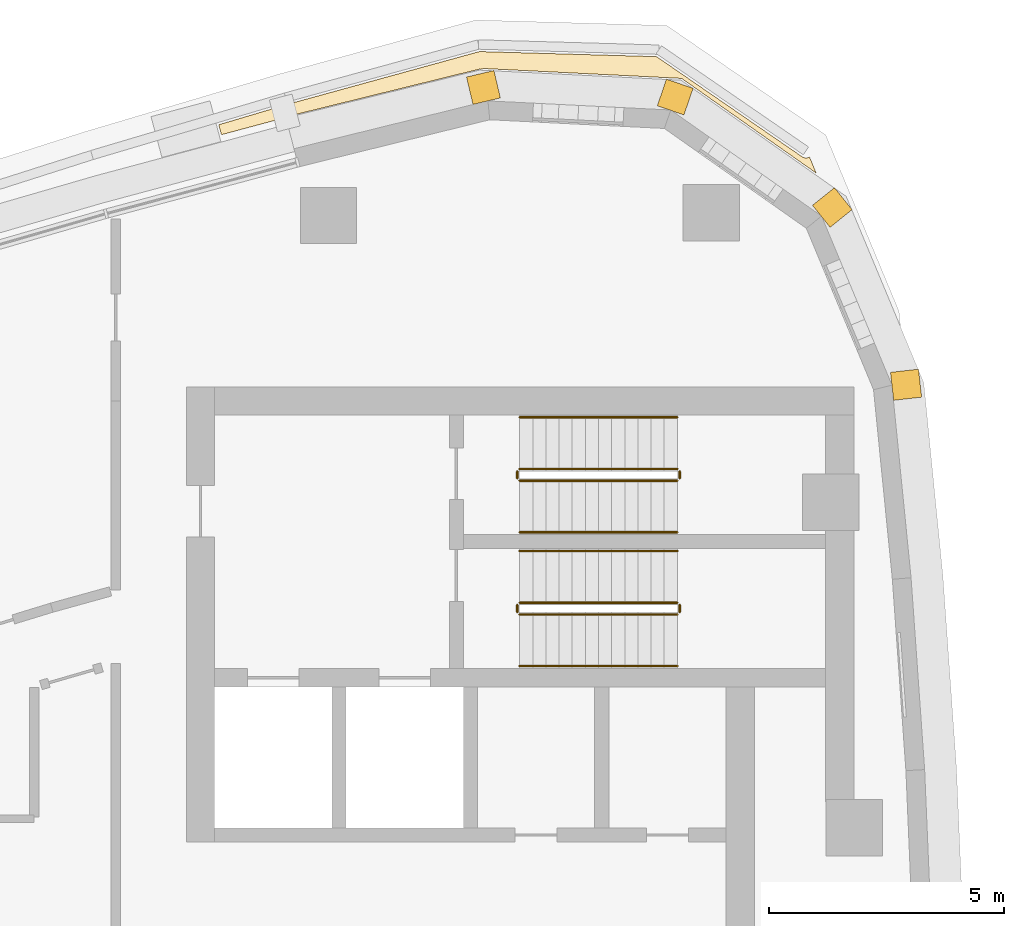
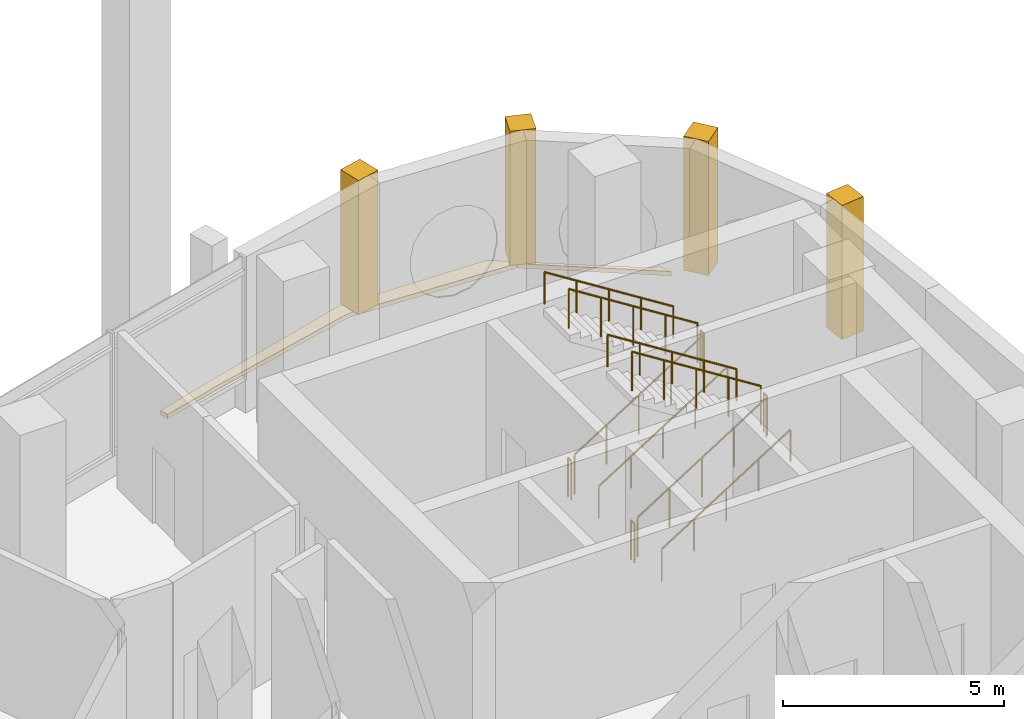
# One storey, part 14 of 15: 12 railings, 5 coverings.
"""IFC4 building model written with IfcOpenShell, lengths in metres."""

from ifc_helpers import new_model, si_unit, direction, frame, frame_2d, origin, origin_2d, place, context, subcontext, project, spatial, polyline, rectangle, circle, outline, extrude, material, layer, layer_set, type_object, element, save


model = new_model("IFC4")

# Units and contexts
model_context = context("Model", 3, precision=1e-05, world=origin(), true_north=direction((0.0, 1.0)))
body_context = subcontext(model_context, "Body", "Model", "MODEL_VIEW")
ifc_project = project(units=[si_unit("LENGTHUNIT", "METRE"), si_unit("AREAUNIT", "SQUARE_METRE"), si_unit("VOLUMEUNIT", "CUBIC_METRE"), si_unit("PLANEANGLEUNIT", "RADIAN"), si_unit("MASSUNIT", "GRAM", prefix="KILO")], contexts=[model_context])

# Site, building, storey
site_placement = place(None, origin())
site = spatial("IfcSite", under=ifc_project, at=site_placement, CompositionType="ELEMENT")
building_placement = place(site_placement, origin())
building = spatial("IfcBuilding", under=site, at=building_placement, Name="Ostrand Prow Hotel Tower", CompositionType="ELEMENT")
storey_placement = place(building_placement, frame((0.0, 0.0, 216.199951171875)))
storey = spatial("IfcBuildingStorey", under=building, at=storey_placement, Name="L54", CompositionType="ELEMENT", Elevation=216.199951171875)

# Coverings
ifc_material_1 = material(Name="Limestone cladding", Category="masonry")
ifc_layer_1 = layer(ifc_material_1, 0.60009765625)
ifc_layer_set_1 = layer_set([ifc_layer_1], Name="Limestone cladding")
covering_type_1 = type_object("IfcCoveringType", Name="Precast stone prow rib 600x600", PredefinedType="CLADDING", material=ifc_layer_set_1)
for number, where, z_axis, x_axis, name in (
    (1, (65.13623046875, 16.35986328125, 0.60009765625), (0.0, 0.0, 1.0), (0.993628058569, 0.112708833834, 0.0), "Stone corner rib 13a"),
    (2, (63.62744140625, 19.98291015625, 0.60009765625), (0.0, 0.0, 1.0), (0.779994736518, 0.625786074473, 0.0), "Stone corner rib 14a"),
    (3, (60.417236328125, 22.240966796875, 0.60009765625), (0.0, 0.0, 1.0), (0.325489086777, 0.945545797087, 0.0), "Stone corner rib 15a"),
    (4, (56.49755859375, 22.436279296875, 0.60009765625), (0.0, 0.0, 1.0), (-0.229878322855, 0.973219377469, 0.0), "Stone corner rib 15b"),
):
    element("IfcCovering", number, at=place(storey_placement, frame(where, z_axis=z_axis, x_axis=x_axis)), inside=storey, type_object=covering_type_1, Name=name, PredefinedType="CLADDING", context=body_context, shape_type="SweptSolid", body=[
        extrude(rectangle(XDim=0.60009765625, YDim=0.60009765625, at=frame_2d((0.300048828125, 0.0))), origin(), (0.0, 0.0, 1.0), 3.699951171875),
    ])
ifc_material_2 = material(Name="Bituminous membrane, insulation and stone ballast", Category="masonry")
ifc_layer_2 = layer(ifc_material_2, 0.1201171875)
ifc_layer_set_2 = layer_set([ifc_layer_2], Name="Bituminous membrane, insulation and stone ballast")
covering_type_2 = type_object("IfcCoveringType", Name="Roof build-up membrane, insulation and stone ballast 120 mm", PredefinedType="ROOFING", material=ifc_layer_set_2)
covering_placement = place(storey_placement, origin())
element("IfcCovering", 5, at=covering_placement, inside=storey, type_object=covering_type_2, Name="Roof build-up Ledge roof slab L54.1 2", PredefinedType="ROOFING", context=body_context, shape_type="SweptSolid", body=[
    extrude(outline(polyline([(63.5185546875, 20.905029296875), (63.375732421875, 21.248779296875), (63.369140625, 21.2451171875), (63.355712890625, 21.23876953125), (63.341796875, 21.234130859375), (63.327392578125, 21.230712890625), (63.31298828125, 21.228759765625), (63.298095703125, 21.228271484375), (63.283447265625, 21.22900390625), (63.268798828125, 21.2314453125), (63.254638671875, 21.2353515625), (63.240966796875, 21.240478515625), (63.227783203125, 21.246826171875), (63.215087890625, 21.254638671875), (60.117919921875, 23.3857421875), (56.34326171875, 23.493896484375), (52.25390625, 22.369384765625), (50.788818359375, 21.934326171875), (50.845703125, 21.72265625), (52.201904296875, 22.086181640625), (52.201904296875, 22.086669921875), (52.202392578125, 22.088623046875), (52.203125, 22.09033203125), (52.2041015625, 22.09228515625), (52.205078125, 22.09375), (52.20654296875, 22.09521484375), (52.2080078125, 22.0966796875), (52.20947265625, 22.097900390625), (52.2109375, 22.09912109375), (52.212890625, 22.10009765625), (52.214599609375, 22.100830078125), (52.216552734375, 22.101318359375), (56.33642578125, 23.11767578125), (56.33837890625, 23.117919921875), (56.34033203125, 23.1181640625), (56.34228515625, 23.1181640625), (56.37646484375, 23.116455078125), (56.43896484375, 23.1318359375), (60.651611328125, 22.921875), (63.5185546875, 20.905029296875)])), origin(), (0.0, 0.0, 1.0), 0.1201171875),
])

# Railings
ifc_material_3 = material(Name="Painted steel", Category="steel")
railing_type_1 = type_object("IfcRailingType", Name="Stair guard 1100", PredefinedType="GUARDRAIL", material=ifc_material_3)
railing_1_placement = place(storey_placement, frame((57.199951171875, 11.5, 0.177001953125)))
element("IfcRailing", 6, at=railing_1_placement, inside=storey, type_object=railing_type_1, Name="L54 ST1C stair guard 1", PredefinedType="GUARDRAIL", context=body_context, shape_type="SweptSolid", body=[
    extrude(circle(Radius=0.02392578125, at=origin_2d()), frame((0.0, 0.0, 1.076171875), z_axis=(0.845389635667, 0.0, 0.534150132366), x_axis=(0.0, 1.0, 0.0)), (0.0, 0.0, 1.0), 3.974609375),
    extrude(circle(Radius=0.02099609375, at=origin_2d()), origin(), (0.0, 0.0, 1.0), 1.052001953125),
    extrude(circle(Radius=0.02099609375, at=origin_2d()), frame((0.840087890625, 0.0, 0.53076171875)), (0.0, 0.0, 1.0), 1.052001953125),
    extrude(circle(Radius=0.02099609375, at=origin_2d()), frame((1.68017578125, 0.0, 1.0615234375)), (0.0, 0.0, 1.0), 1.052001953125),
    extrude(circle(Radius=0.02099609375, at=origin_2d()), frame((2.52001953125, 0.0, 1.59228515625)), (0.0, 0.0, 1.0), 1.052001953125),
    extrude(circle(Radius=0.02099609375, at=origin_2d()), frame((3.360107421875, 0.0, 2.123046875)), (0.0, 0.0, 1.0), 1.052001953125),
])
railing_2_placement = place(storey_placement, frame((60.610107421875, 11.550048828125, 2.300048828125)))
element("IfcRailing", 7, at=railing_2_placement, inside=storey, type_object=railing_type_1, Name="L54 ST1C stair guard 2", PredefinedType="GUARDRAIL", context=body_context, shape_type="SweptSolid", body=[
    extrude(circle(Radius=0.02392578125, at=origin_2d()), frame((0.0, 0.0, 1.076171875), z_axis=(0.0, 1.0, 0.0), x_axis=(-1.0, 0.0, 0.0)), (0.0, 0.0, 1.0), 0.14990234375),
    extrude(circle(Radius=0.02099609375, at=origin_2d()), origin(), (0.0, 0.0, 1.0), 1.052001953125),
    extrude(circle(Radius=0.02099609375, at=origin_2d()), frame((0.0, 0.14990234375, 0.0)), (0.0, 0.0, 1.0), 1.052001953125),
])
railing_3_placement = place(storey_placement, frame((60.56005859375, 11.75, 2.47705078125)))
element("IfcRailing", 8, at=railing_3_placement, inside=storey, type_object=railing_type_1, Name="L54 ST1C stair guard 3", PredefinedType="GUARDRAIL", context=body_context, shape_type="SweptSolid", body=[
    extrude(circle(Radius=0.02392578125, at=origin_2d()), frame((0.0, 0.0, 1.076171875), z_axis=(-0.845389635667, 0.0, 0.534150132366), x_axis=(0.0, -1.0, 0.0)), (0.0, 0.0, 1.0), 3.974609375),
    extrude(circle(Radius=0.02099609375, at=origin_2d()), origin(), (0.0, 0.0, 1.0), 1.052001953125),
    extrude(circle(Radius=0.02099609375, at=origin_2d()), frame((-0.840087890625, 0.0, 0.53076171875)), (0.0, 0.0, 1.0), 1.052001953125),
    extrude(circle(Radius=0.02099609375, at=origin_2d()), frame((-1.68017578125, 0.0, 1.0615234375)), (0.0, 0.0, 1.0), 1.052001953125),
    extrude(circle(Radius=0.02099609375, at=origin_2d()), frame((-2.52001953125, 0.0, 1.59228515625)), (0.0, 0.0, 1.0), 1.052001953125),
    extrude(circle(Radius=0.02099609375, at=origin_2d()), frame((-3.360107421875, 0.0, 2.123046875)), (0.0, 0.0, 1.0), 1.052001953125),
])
railing_4_placement = place(storey_placement, frame((57.14990234375, 11.550048828125, 0.0)))
element("IfcRailing", 9, at=railing_4_placement, inside=storey, type_object=railing_type_1, Name="L54 ST1C stair guard 4", PredefinedType="GUARDRAIL", context=body_context, shape_type="SweptSolid", body=[
    extrude(circle(Radius=0.02392578125, at=origin_2d()), frame((0.0, 0.0, 1.076171875), z_axis=(0.0, 1.0, 0.0), x_axis=(-1.0, 0.0, 0.0)), (0.0, 0.0, 1.0), 0.14990234375),
    extrude(circle(Radius=0.02099609375, at=origin_2d()), origin(), (0.0, 0.0, 1.0), 1.052001953125),
    extrude(circle(Radius=0.02099609375, at=origin_2d()), frame((0.0, 0.14990234375, 0.0)), (0.0, 0.0, 1.0), 1.052001953125),
])
railing_5_placement = place(storey_placement, frame((57.199951171875, 14.35009765625, 0.177001953125)))
element("IfcRailing", 10, at=railing_5_placement, inside=storey, type_object=railing_type_1, Name="L54 ST3C stair guard 1", PredefinedType="GUARDRAIL", context=body_context, shape_type="SweptSolid", body=[
    extrude(circle(Radius=0.02392578125, at=origin_2d()), frame((0.0, 0.0, 1.076171875), z_axis=(0.845389635667, 0.0, 0.534150132366), x_axis=(0.0, 1.0, 0.0)), (0.0, 0.0, 1.0), 3.974609375),
    extrude(circle(Radius=0.02099609375, at=origin_2d()), origin(), (0.0, 0.0, 1.0), 1.052001953125),
    extrude(circle(Radius=0.02099609375, at=origin_2d()), frame((0.840087890625, 0.0, 0.53076171875)), (0.0, 0.0, 1.0), 1.052001953125),
    extrude(circle(Radius=0.02099609375, at=origin_2d()), frame((1.68017578125, 0.0, 1.0615234375)), (0.0, 0.0, 1.0), 1.052001953125),
    extrude(circle(Radius=0.02099609375, at=origin_2d()), frame((2.52001953125, 0.0, 1.59228515625)), (0.0, 0.0, 1.0), 1.052001953125),
    extrude(circle(Radius=0.02099609375, at=origin_2d()), frame((3.360107421875, 0.0, 2.123046875)), (0.0, 0.0, 1.0), 1.052001953125),
])
railing_6_placement = place(storey_placement, frame((60.610107421875, 14.39990234375, 2.300048828125)))
element("IfcRailing", 11, at=railing_6_placement, inside=storey, type_object=railing_type_1, Name="L54 ST3C stair guard 2", PredefinedType="GUARDRAIL", context=body_context, shape_type="SweptSolid", body=[
    extrude(circle(Radius=0.02392578125, at=origin_2d()), frame((0.0, 0.0, 1.076171875), z_axis=(0.0, 1.0, 0.0), x_axis=(-1.0, 0.0, 0.0)), (0.0, 0.0, 1.0), 0.150146484375),
    extrude(circle(Radius=0.02099609375, at=origin_2d()), origin(), (0.0, 0.0, 1.0), 1.052001953125),
    extrude(circle(Radius=0.02099609375, at=origin_2d()), frame((0.0, 0.150146484375, 0.0)), (0.0, 0.0, 1.0), 1.052001953125),
])
railing_7_placement = place(storey_placement, frame((60.56005859375, 14.60009765625, 2.47705078125)))
element("IfcRailing", 12, at=railing_7_placement, inside=storey, type_object=railing_type_1, Name="L54 ST3C stair guard 3", PredefinedType="GUARDRAIL", context=body_context, shape_type="SweptSolid", body=[
    extrude(circle(Radius=0.02392578125, at=origin_2d()), frame((0.0, 0.0, 1.076171875), z_axis=(-0.845389635667, 0.0, 0.534150132366), x_axis=(0.0, -1.0, 0.0)), (0.0, 0.0, 1.0), 3.974609375),
    extrude(circle(Radius=0.02099609375, at=origin_2d()), origin(), (0.0, 0.0, 1.0), 1.052001953125),
    extrude(circle(Radius=0.02099609375, at=origin_2d()), frame((-0.840087890625, 0.0, 0.53076171875)), (0.0, 0.0, 1.0), 1.052001953125),
    extrude(circle(Radius=0.02099609375, at=origin_2d()), frame((-1.68017578125, 0.0, 1.0615234375)), (0.0, 0.0, 1.0), 1.052001953125),
    extrude(circle(Radius=0.02099609375, at=origin_2d()), frame((-2.52001953125, 0.0, 1.59228515625)), (0.0, 0.0, 1.0), 1.052001953125),
    extrude(circle(Radius=0.02099609375, at=origin_2d()), frame((-3.360107421875, 0.0, 2.123046875)), (0.0, 0.0, 1.0), 1.052001953125),
])
railing_8_placement = place(storey_placement, frame((57.14990234375, 14.39990234375, 0.0)))
element("IfcRailing", 13, at=railing_8_placement, inside=storey, type_object=railing_type_1, Name="L54 ST3C stair guard 4", PredefinedType="GUARDRAIL", context=body_context, shape_type="SweptSolid", body=[
    extrude(circle(Radius=0.02392578125, at=origin_2d()), frame((0.0, 0.0, 1.076171875), z_axis=(0.0, 1.0, 0.0), x_axis=(-1.0, 0.0, 0.0)), (0.0, 0.0, 1.0), 0.150146484375),
    extrude(circle(Radius=0.02099609375, at=origin_2d()), origin(), (0.0, 0.0, 1.0), 1.052001953125),
    extrude(circle(Radius=0.02099609375, at=origin_2d()), frame((0.0, 0.150146484375, 0.0)), (0.0, 0.0, 1.0), 1.052001953125),
])
ifc_material_4 = material(Name="Stainless steel", Category="steel")
railing_type_2 = type_object("IfcRailingType", Name="Stair handrail 900", PredefinedType="HANDRAIL", material=ifc_material_4)
railing_9_placement = place(storey_placement, frame((57.199951171875, 10.39990234375, 0.177001953125)))
element("IfcRailing", 14, at=railing_9_placement, inside=storey, type_object=railing_type_2, Name="L54 ST1C stair handrail 1", PredefinedType="HANDRAIL", context=body_context, shape_type="SweptSolid", body=[
    extrude(circle(Radius=0.02392578125, at=origin_2d()), frame((0.0, 0.0, 0.8759765625), z_axis=(0.845389635667, 0.0, 0.534150132366), x_axis=(0.0, 1.0, 0.0)), (0.0, 0.0, 1.0), 3.974609375),
    extrude(circle(Radius=0.02099609375, at=origin_2d()), origin(), (0.0, 0.0, 1.0), 0.851806640625),
    extrude(circle(Radius=0.02099609375, at=origin_2d()), frame((0.840087890625, 0.0, 0.53076171875)), (0.0, 0.0, 1.0), 0.851806640625),
    extrude(circle(Radius=0.02099609375, at=origin_2d()), frame((1.68017578125, 0.0, 1.0615234375)), (0.0, 0.0, 1.0), 0.851806640625),
    extrude(circle(Radius=0.02099609375, at=origin_2d()), frame((2.52001953125, 0.0, 1.59228515625)), (0.0, 0.0, 1.0), 0.851806640625),
    extrude(circle(Radius=0.02099609375, at=origin_2d()), frame((3.360107421875, 0.0, 2.123046875)), (0.0, 0.0, 1.0), 0.851806640625),
])
railing_10_placement = place(storey_placement, frame((60.56005859375, 12.85009765625, 2.47705078125)))
element("IfcRailing", 15, at=railing_10_placement, inside=storey, type_object=railing_type_2, Name="L54 ST1C stair handrail 2", PredefinedType="HANDRAIL", context=body_context, shape_type="SweptSolid", body=[
    extrude(circle(Radius=0.02392578125, at=origin_2d()), frame((0.0, 0.0, 0.8759765625), z_axis=(-0.845389635667, 0.0, 0.534150132366), x_axis=(0.0, -1.0, 0.0)), (0.0, 0.0, 1.0), 3.974609375),
    extrude(circle(Radius=0.02099609375, at=origin_2d()), origin(), (0.0, 0.0, 1.0), 0.851806640625),
    extrude(circle(Radius=0.02099609375, at=origin_2d()), frame((-0.840087890625, 0.0, 0.53076171875)), (0.0, 0.0, 1.0), 0.851806640625),
    extrude(circle(Radius=0.02099609375, at=origin_2d()), frame((-1.68017578125, 0.0, 1.0615234375)), (0.0, 0.0, 1.0), 0.851806640625),
    extrude(circle(Radius=0.02099609375, at=origin_2d()), frame((-2.52001953125, 0.0, 1.59228515625)), (0.0, 0.0, 1.0), 0.851806640625),
    extrude(circle(Radius=0.02099609375, at=origin_2d()), frame((-3.360107421875, 0.0, 2.123046875)), (0.0, 0.0, 1.0), 0.851806640625),
])
railing_11_placement = place(storey_placement, frame((57.199951171875, 13.25, 0.177001953125)))
element("IfcRailing", 16, at=railing_11_placement, inside=storey, type_object=railing_type_2, Name="L54 ST3C stair handrail 1", PredefinedType="HANDRAIL", context=body_context, shape_type="SweptSolid", body=[
    extrude(circle(Radius=0.02392578125, at=origin_2d()), frame((0.0, 0.0, 0.8759765625), z_axis=(0.845389635667, 0.0, 0.534150132366), x_axis=(0.0, 1.0, 0.0)), (0.0, 0.0, 1.0), 3.974609375),
    extrude(circle(Radius=0.02099609375, at=origin_2d()), origin(), (0.0, 0.0, 1.0), 0.851806640625),
    extrude(circle(Radius=0.02099609375, at=origin_2d()), frame((0.840087890625, 0.0, 0.53076171875)), (0.0, 0.0, 1.0), 0.851806640625),
    extrude(circle(Radius=0.02099609375, at=origin_2d()), frame((1.68017578125, 0.0, 1.0615234375)), (0.0, 0.0, 1.0), 0.851806640625),
    extrude(circle(Radius=0.02099609375, at=origin_2d()), frame((2.52001953125, 0.0, 1.59228515625)), (0.0, 0.0, 1.0), 0.851806640625),
    extrude(circle(Radius=0.02099609375, at=origin_2d()), frame((3.360107421875, 0.0, 2.123046875)), (0.0, 0.0, 1.0), 0.851806640625),
])
railing_12_placement = place(storey_placement, frame((60.56005859375, 15.699951171875, 2.47705078125)))
element("IfcRailing", 17, at=railing_12_placement, inside=storey, type_object=railing_type_2, Name="L54 ST3C stair handrail 2", PredefinedType="HANDRAIL", context=body_context, shape_type="SweptSolid", body=[
    extrude(circle(Radius=0.02392578125, at=origin_2d()), frame((0.0, 0.0, 0.8759765625), z_axis=(-0.845389635667, 0.0, 0.534150132366), x_axis=(0.0, -1.0, 0.0)), (0.0, 0.0, 1.0), 3.974609375),
    extrude(circle(Radius=0.02099609375, at=origin_2d()), origin(), (0.0, 0.0, 1.0), 0.851806640625),
    extrude(circle(Radius=0.02099609375, at=origin_2d()), frame((-0.840087890625, 0.0, 0.53076171875)), (0.0, 0.0, 1.0), 0.851806640625),
    extrude(circle(Radius=0.02099609375, at=origin_2d()), frame((-1.68017578125, 0.0, 1.0615234375)), (0.0, 0.0, 1.0), 0.851806640625),
    extrude(circle(Radius=0.02099609375, at=origin_2d()), frame((-2.52001953125, 0.0, 1.59228515625)), (0.0, 0.0, 1.0), 0.851806640625),
    extrude(circle(Radius=0.02099609375, at=origin_2d()), frame((-3.360107421875, 0.0, 2.123046875)), (0.0, 0.0, 1.0), 0.851806640625),
])

save(model, "model.ifc")
